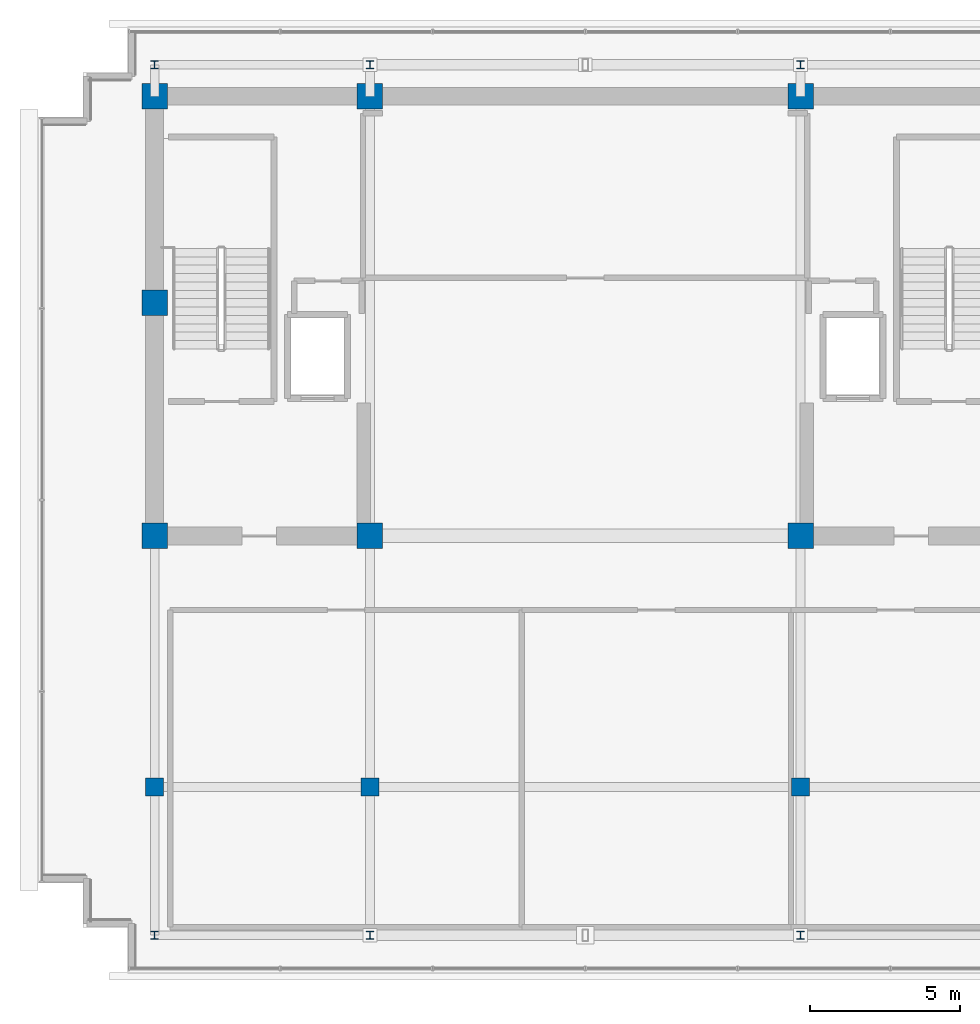
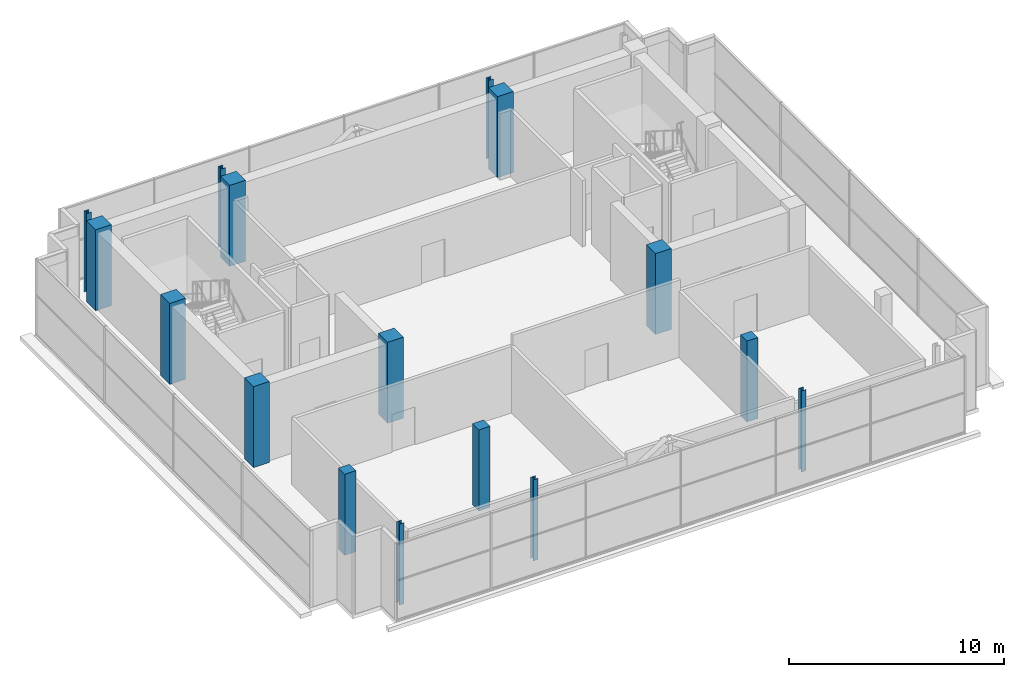
# One storey, part 1 of 28: 16 columns.
"""IFC4 building model written with IfcOpenShell, lengths in metres."""

import ifcopenshell
import ifcopenshell.guid

model = None  # the IFC model being written
_history = None  # IfcOwnerHistory: only IFC2X3 demands one
_inside = {}  # id of a spatial element -> (the spatial element, [elements in it])
_under = {}  # id of a project, library or spatial element -> (it, [spatial elements below it])
_declared = {}  # id of a project -> (the project, [libraries it declares])
_typed = {}  # id of a type object -> (the type object, [elements of that type])
_made_of = {}  # id of a material, layer set ... -> (it, [elements and type objects made of it])


def new_model(schema):
    """Start an empty IFC model of exactly this schema.

    Asked for "IFC4X3", IfcOpenShell would pick the latest addendum, in which some entities
    have other attributes; the version numbers below select the first issue.
    IFC2X3 requires an IfcOwnerHistory on every rooted entity: one is made here for all.
    """
    global model, _history
    if schema == "IFC4X3":
        model = ifcopenshell.file(schema_version=(4, 3, 0, 0))
    else:
        model = ifcopenshell.file(schema=schema)
    _inside.clear()
    _under.clear()
    _declared.clear()
    _typed.clear()
    _made_of.clear()
    _history = None
    if model.schema == "IFC2X3":
        org = make("IfcOrganization", Name="unknown")
        user = make(
            "IfcPersonAndOrganization",
            ThePerson=make("IfcPerson", FamilyName="unknown"),
            TheOrganization=org,
        )
        app = make(
            "IfcApplication",
            ApplicationDeveloper=org,
            Version="unknown",
            ApplicationFullName="unknown",
            ApplicationIdentifier="unknown",
        )
        _history = make(
            "IfcOwnerHistory",
            OwningUser=user,
            OwningApplication=app,
            ChangeAction="ADDED",
            CreationDate=0,
        )
    return model


def make(cls, **values):
    """One entity of the class cls with the attributes given. An attribute that is None is left unset."""
    return model.create_entity(
        cls, **{name: value for name, value in values.items() if value is not None}
    )


def rooted(cls, **values):
    """An entity with a GlobalId (a new one), such as an element, a storey or a relation."""
    return make(cls, GlobalId=ifcopenshell.guid.new(), OwnerHistory=_history, **values)


def si_unit(unit_type, name, prefix=None):
    """IfcSIUnit, for example si_unit("LENGTHUNIT", "METRE", prefix="MILLI")."""
    return make("IfcSIUnit", UnitType=unit_type, Prefix=prefix, Name=name)


def assignment(units):
    """IfcUnitAssignment: the units of a project."""
    return None if units is None else make("IfcUnitAssignment", Units=units)


def point(xyz):
    """IfcCartesianPoint."""
    return None if xyz is None else make("IfcCartesianPoint", Coordinates=xyz)


def direction(xyz):
    """IfcDirection."""
    return None if xyz is None else make("IfcDirection", DirectionRatios=xyz)


def frame(location, z_axis=None, x_axis=None):
    """IfcAxis2Placement3D, a coordinate frame: its origin and axes. An axis left out is left unset."""
    return make(
        "IfcAxis2Placement3D",
        Location=point(location),
        Axis=direction(z_axis),
        RefDirection=direction(x_axis),
    )


def frame_2d(location, x_axis=None):
    """IfcAxis2Placement2D, a coordinate frame in the plane: its origin and x axis."""
    return make(
        "IfcAxis2Placement2D", Location=point(location), RefDirection=direction(x_axis)
    )


def origin():
    """The frame at (0, 0, 0) with its axes left unset."""
    return frame((0.0, 0.0, 0.0))


def origin_2d():
    """The frame at (0, 0) in the plane with its x axis left unset."""
    return frame_2d((0.0, 0.0))


def place(relative_to, where):
    """IfcLocalPlacement: puts the frame where relative to a parent placement (None: the world)."""
    return make(
        "IfcLocalPlacement", PlacementRelTo=relative_to, RelativePlacement=where
    )


def context(
    kind, dimensions, precision=None, world=None, true_north=None, identifier=None
):
    """IfcGeometricRepresentationContext, for example the 3D "Model" context."""
    return make(
        "IfcGeometricRepresentationContext",
        ContextIdentifier=identifier,
        ContextType=kind,
        CoordinateSpaceDimension=dimensions,
        Precision=precision,
        WorldCoordinateSystem=world,
        TrueNorth=true_north,
    )


def subcontext(parent, identifier, kind, view, scale=None):
    """IfcGeometricRepresentationSubContext, for example "Body" below "Model"."""
    return make(
        "IfcGeometricRepresentationSubContext",
        ContextIdentifier=identifier,
        ContextType=kind,
        ParentContext=parent,
        TargetScale=scale,
        TargetView=view,
    )


def project(units=None, contexts=None):
    """IfcProject with its units and contexts."""
    return rooted(
        "IfcProject",
        Name="project",
        RepresentationContexts=contexts,
        UnitsInContext=assignment(units),
    )


def spatial(cls, under=None, at=None, **own):
    """A site, building, storey or space (cls), placed at a placement, below another one or the project."""
    s = rooted(cls, ObjectPlacement=at, **own)
    if under is not None:
        _under.setdefault(under.id(), (under, []))[1].append(s)
    return s


def profile(cls, at=None, kind="AREA", **sizes):
    """A parametric profile (cls). Its sizes go by their IFC names, for example OverallWidth=200.0."""
    return make(cls, ProfileType=kind, Position=at, **sizes)


def rectangle(**sizes):
    """IfcRectangleProfileDef."""
    return profile("IfcRectangleProfileDef", **sizes)


def i_section(**sizes):
    """IfcIShapeProfileDef."""
    return profile("IfcIShapeProfileDef", **sizes)


def extrude(swept, where, along, depth):
    """IfcExtrudedAreaSolid: the profile swept, set in the frame where, extruded along a direction by depth."""
    return make(
        "IfcExtrudedAreaSolid",
        SweptArea=swept,
        Position=where,
        ExtrudedDirection=direction(along),
        Depth=depth,
    )


def shape(context_of_items, identifier, shape_type, items):
    """IfcShapeRepresentation: the items that make up one representation, for example the "Body"."""
    return make(
        "IfcShapeRepresentation",
        ContextOfItems=context_of_items,
        RepresentationIdentifier=identifier,
        RepresentationType=shape_type,
        Items=items,
    )


def material(Name=None, Category=None):
    """IfcMaterial."""
    return make("IfcMaterial", Name=Name, Category=Category)


def material_profile(
    of_material, cross_section, Name=None, Category=None, Priority=None
):
    """IfcMaterialProfile: a cross section and its material."""
    return make(
        "IfcMaterialProfile",
        Name=Name,
        Material=of_material,
        Profile=cross_section,
        Priority=Priority,
        Category=Category,
    )


def profile_set(profiles, Name=None, composite=None):
    """IfcMaterialProfileSet."""
    return make(
        "IfcMaterialProfileSet",
        Name=Name,
        MaterialProfiles=profiles,
        CompositeProfile=composite,
    )


def made_of(thing, what):
    """Note that an element or type object is made of a material, layer set ...; save() writes the relation."""
    if what is not None:
        _made_of.setdefault(what.id(), (what, []))[1].append(thing)
    return thing


def type_object(cls, material=None, **own):
    """A type object (cls), such as IfcWallType, which elements share."""
    return made_of(rooted(cls, **own), material)


def element(
    cls,
    number,
    at=None,
    inside=None,
    cuts=None,
    type_object=None,
    material=None,
    context=None,
    identifier="Body",
    shape_type=None,
    held_by="IfcProductDefinitionShape",
    body=None,
    shapes=None,
    **own,
):
    """One element of the class cls, such as IfcWall. Its Tag is "e" and its number.

    at: its placement. inside: the storey or other place that contains it. cuts: it is an
    opening in that element (IfcRelVoidsElement). A single representation is given by context,
    identifier, shape_type and body (its items); several are given by shapes. held_by: the class
    of the entity that holds the representations. save() writes the other relations.
    """
    e = rooted(cls, Tag="e%d" % number, ObjectPlacement=at, **own)
    if body is not None:
        shapes = [shape(context, identifier, shape_type, body)]
    if shapes is not None:
        e.Representation = make(held_by, Representations=shapes)
    if inside is not None:
        _inside.setdefault(inside.id(), (inside, []))[1].append(e)
    if cuts is not None:
        rooted(
            "IfcRelVoidsElement", RelatingBuildingElement=cuts, RelatedOpeningElement=e
        )
    if type_object is not None:
        _typed.setdefault(type_object.id(), (type_object, []))[1].append(e)
    return made_of(e, material)


def aggregate(whole, parts):
    """IfcRelAggregates: a whole, such as a stair, and the parts it consists of."""
    return rooted("IfcRelAggregates", RelatingObject=whole, RelatedObjects=parts)


def save(model, path):
    """Write the relations noted so far, then the file.

    IfcRelAggregates (storeys below a building ...), IfcRelContainedInSpatialStructure (elements
    in a storey), IfcRelDefinesByType, IfcRelAssociatesMaterial and IfcRelDeclares: one each for
    every whole, place, type object, material and project.
    """
    for whole, parts in _under.values():
        aggregate(whole, parts)
    for where, things in _inside.values():
        rooted(
            "IfcRelContainedInSpatialStructure",
            RelatedElements=things,
            RelatingStructure=where,
        )
    for kind, things in _typed.values():
        rooted("IfcRelDefinesByType", RelatedObjects=things, RelatingType=kind)
    for what, things in _made_of.values():
        rooted("IfcRelAssociatesMaterial", RelatedObjects=things, RelatingMaterial=what)
    for by, libraries in _declared.values():
        rooted("IfcRelDeclares", RelatingContext=by, RelatedDefinitions=libraries)
    model.write(path)


model = new_model("IFC4")

# Units and contexts
model_context = context("Model", 3, precision=1e-05, world=origin(), true_north=direction((0.0, 1.0)))
body_context = subcontext(model_context, "Body", "Model", "MODEL_VIEW")
ifc_project = project(units=[si_unit("LENGTHUNIT", "METRE"), si_unit("AREAUNIT", "SQUARE_METRE"), si_unit("VOLUMEUNIT", "CUBIC_METRE"), si_unit("PLANEANGLEUNIT", "RADIAN"), si_unit("MASSUNIT", "GRAM", prefix="KILO")], contexts=[model_context])

# Site, building, storey
site_placement = place(None, origin())
site = spatial("IfcSite", under=ifc_project, at=site_placement, CompositionType="ELEMENT")
building_placement = place(site_placement, origin())
building = spatial("IfcBuilding", under=site, at=building_placement, Name="Zarnakvel Exchange Tower", CompositionType="ELEMENT")
storey_placement = place(building_placement, frame((0.0, 0.0, 290.0)))
storey = spatial("IfcBuildingStorey", under=building, at=storey_placement, Name="Crown L81", CompositionType="ELEMENT", Elevation=290.0)

# Columns
ifc_material_1 = material(Name="Concrete C50/60", Category="concrete")
ifc_material_profile_1 = material_profile(ifc_material_1, rectangle(XDim=0.85009765625, YDim=0.85009765625, at=origin_2d()))
ifc_profile_set_1 = profile_set([ifc_material_profile_1], Name="Concrete C50/60")
column_type_1 = type_object("IfcColumnType", Name="CC-03", PredefinedType="COLUMN", material=ifc_profile_set_1)
for number, where, z_axis, x_axis, name in (
    (1, (-14.39990234375, -1.199951171875, 0.0), (0.0, 0.0, 1.0), (1.0, 0.0, 0.0), "Crown L81 Column C-4D (CC-03)"),
    (2, (-7.199951171875, -1.199951171875, 0.0), (0.0, 0.0, 1.0), (1.0, 0.0, 0.0), "Crown L81 Column C-5D (CC-03)"),
    (3, (7.199951171875, -1.199951171875, 0.0), (0.0, 0.0, 1.0), (1.0, 0.0, 0.0), "Crown L81 Column C-8D (CC-03)"),
    (4, (-14.39990234375, 6.60009765625, 0.0), (0.0, 0.0, 1.0), (1.0, 0.0, 0.0), "Crown L81 Column C-4E (CC-03)"),
    (5, (-14.39990234375, 13.5, 0.0), (0.0, 0.0, 1.0), (1.0, 0.0, 0.0), "Crown L81 Column C-4F (CC-03)"),
    (6, (-7.199951171875, 13.5, 0.0), (0.0, 0.0, 1.0), (1.0, 0.0, 0.0), "Crown L81 Column C-5F (CC-03)"),
    (7, (7.199951171875, 13.5, 0.0), (0.0, 0.0, 1.0), (1.0, 0.0, 0.0), "Crown L81 Column C-8F (CC-03)"),
):
    element("IfcColumn", number, at=place(storey_placement, frame(where, z_axis=z_axis, x_axis=x_axis)), inside=storey, type_object=column_type_1, Name=name, PredefinedType="COLUMN", context=body_context, shape_type="SweptSolid", body=[
        extrude(rectangle(XDim=0.85009765625, YDim=0.85009765625, at=origin_2d()), origin(), (0.0, 0.0, 1.0), 4.60009765625),
    ])
ifc_material_2 = material(Name="Steel S355", Category="steel")
ifc_material_profile_2 = material_profile(ifc_material_2, i_section(OverallWidth=0.260009765625, OverallDepth=0.260009765625, WebThickness=0.010009765625, FlangeThickness=0.017578125, FilletRadius=0.02392578125, at=origin_2d()))
ifc_profile_set_2 = profile_set([ifc_material_profile_2], Name="Steel S355")
column_type_2 = type_object("IfcColumnType", Name="CF-02", PredefinedType="COLUMN", material=ifc_profile_set_2)
for number, where, z_axis, x_axis, name in (
    (8, (-14.39990234375, -14.550048828125, 0.0), (0.0, 0.0, 1.0), (1.0, 0.0, 0.0), "Crown L81 Column CS-4 (CF-02)"),
    (9, (-14.39990234375, 14.550048828125, 0.0), (0.0, 0.0, 1.0), (1.0, 0.0, 0.0), "Crown L81 Column CN-4 (CF-02)"),
    (10, (-7.199951171875, -14.550048828125, 0.0), (0.0, 0.0, 1.0), (1.0, 0.0, 0.0), "Crown L81 Column CS-5 (CF-02)"),
    (11, (-7.199951171875, 14.550048828125, 0.0), (0.0, 0.0, 1.0), (1.0, 0.0, 0.0), "Crown L81 Column CN-5 (CF-02)"),
    (12, (7.199951171875, -14.550048828125, 0.0), (0.0, 0.0, 1.0), (1.0, 0.0, 0.0), "Crown L81 Column CS-8 (CF-02)"),
    (13, (7.199951171875, 14.550048828125, 0.0), (0.0, 0.0, 1.0), (1.0, 0.0, 0.0), "Crown L81 Column CN-8 (CF-02)"),
):
    element("IfcColumn", number, at=place(storey_placement, frame(where, z_axis=z_axis, x_axis=x_axis)), inside=storey, type_object=column_type_2, Name=name, PredefinedType="COLUMN", context=body_context, shape_type="SweptSolid", body=[
        extrude(i_section(OverallWidth=0.260009765625, OverallDepth=0.260009765625, WebThickness=0.010009765625, FlangeThickness=0.017578125, FilletRadius=0.02392578125, at=origin_2d()), origin(), (0.0, 0.0, 1.0), 4.60009765625),
    ])
ifc_material_profile_3 = material_profile(ifc_material_1, rectangle(XDim=0.60009765625, YDim=0.60009765625, at=origin_2d()))
ifc_profile_set_3 = profile_set([ifc_material_profile_3], Name="Concrete C50/60")
column_type_3 = type_object("IfcColumnType", Name="TC-06", PredefinedType="COLUMN", material=ifc_profile_set_3)
for number, where, z_axis, x_axis, name in (
    (14, (-14.39990234375, -9.60009765625, 0.0), (0.0, 0.0, 1.0), (1.0, 0.0, 0.0), "Crown L81 Column CC-4C (TC-06)"),
    (15, (-7.199951171875, -9.60009765625, 0.0), (0.0, 0.0, 1.0), (1.0, 0.0, 0.0), "Crown L81 Column CC-5C (TC-06)"),
    (16, (7.199951171875, -9.60009765625, 0.0), (0.0, 0.0, 1.0), (1.0, 0.0, 0.0), "Crown L81 Column CC-8C (TC-06)"),
):
    element("IfcColumn", number, at=place(storey_placement, frame(where, z_axis=z_axis, x_axis=x_axis)), inside=storey, type_object=column_type_3, Name=name, PredefinedType="COLUMN", context=body_context, shape_type="SweptSolid", body=[
        extrude(rectangle(XDim=0.60009765625, YDim=0.60009765625, at=origin_2d()), origin(), (0.0, 0.0, 1.0), 4.60009765625),
    ])

save(model, "model.ifc")
